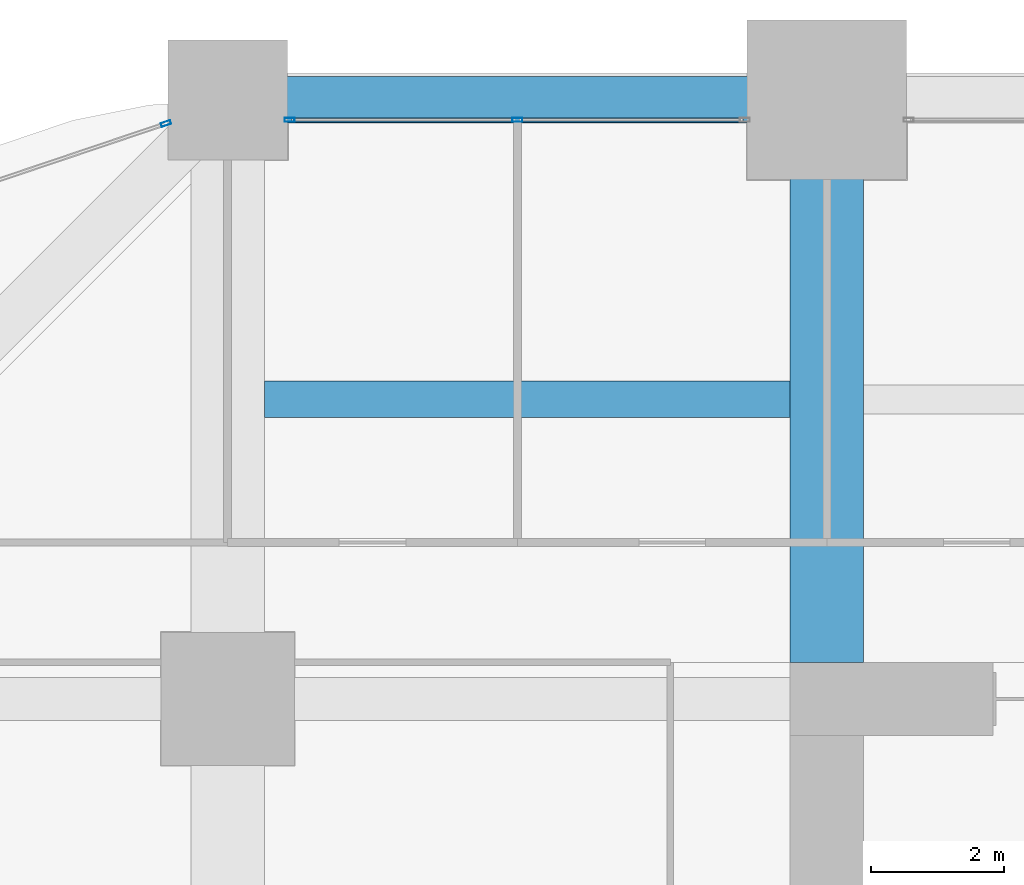
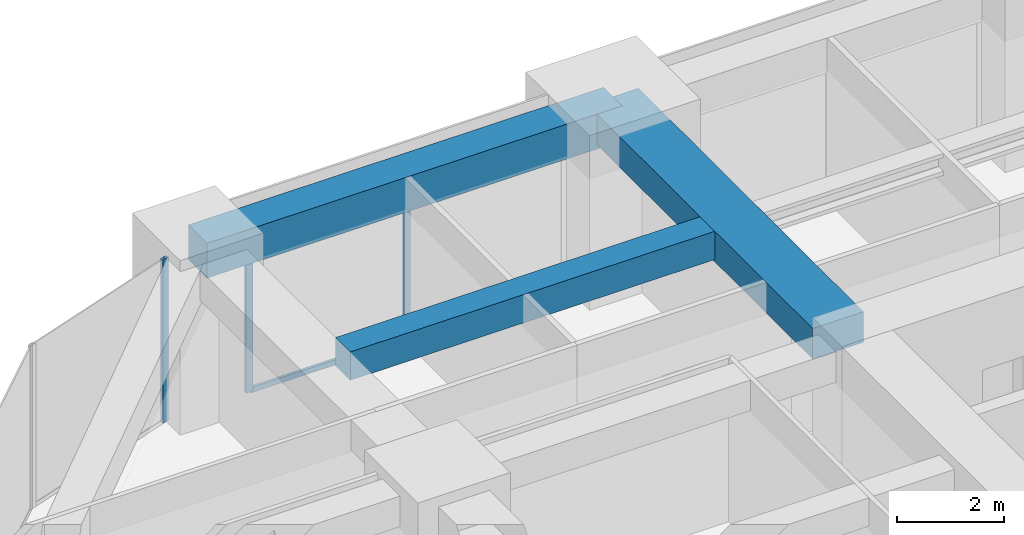
# One storey, part 27 of 41: 4 members, 3 beams, 2 elements without a shape of their own.
"""IFC4 building model written with IfcOpenShell, lengths in metres."""

from ifc_helpers import new_model, si_unit, direction, frame, origin, origin_2d, place, context, subcontext, project, spatial, rectangle, hollow_rectangle, extrude, material, material_profile, profile_set, type_object, element, aggregate, save


model = new_model("IFC4")

# Units and contexts
model_context = context("Model", 3, precision=1e-05, world=origin(), true_north=direction((0.0, 1.0)))
body_context = subcontext(model_context, "Body", "Model", "MODEL_VIEW")
ifc_project = project(units=[si_unit("LENGTHUNIT", "METRE"), si_unit("AREAUNIT", "SQUARE_METRE"), si_unit("VOLUMEUNIT", "CUBIC_METRE"), si_unit("PLANEANGLEUNIT", "RADIAN"), si_unit("MASSUNIT", "GRAM", prefix="KILO")], contexts=[model_context])

# Site, building, storey
site_placement = place(None, origin())
site = spatial("IfcSite", under=ifc_project, at=site_placement, CompositionType="ELEMENT")
building_placement = place(site_placement, origin())
building = spatial("IfcBuilding", under=site, at=building_placement, Name="Zorevar Civic Tower", CompositionType="ELEMENT")
storey_placement = place(building_placement, frame((0.0, 0.0, 113.0)))
storey = spatial("IfcBuildingStorey", under=building, at=storey_placement, Name="L27", CompositionType="ELEMENT", Elevation=113.0)

# Beams
ifc_material_1 = material(Name="Concrete C50/60", Category="concrete")
ifc_material_profile_1 = material_profile(ifc_material_1, rectangle(XDim=1.10009765625, YDim=0.699951171875, at=origin_2d()), Name="RC 1100x700")
ifc_profile_set_1 = profile_set([ifc_material_profile_1], Name="Concrete C50/60")
beam_type_1 = type_object("IfcBeamType", Name="Beam RC 1100x700", PredefinedType="BEAM", material=ifc_profile_set_1)
beam_1_placement = place(storey_placement, frame((18.0, 36.550048828125, 3.39990234375), z_axis=(0.0, 1.0, 0.0), x_axis=(-1.0, 0.0, 0.0)))
element("IfcBeam", 1, at=beam_1_placement, inside=storey, type_object=beam_type_1, Name="Girder L28", PredefinedType="BEAM", context=body_context, shape_type="SweptSolid", body=[
    extrude(rectangle(XDim=1.10009765625, YDim=0.699951171875, at=origin_2d()), origin(), (0.0, 0.0, 1.0), 8.449951171875),
])
ifc_material_2 = material(Name="Concrete C50/60", Category="concrete")
ifc_material_profile_2 = material_profile(ifc_material_2, rectangle(XDim=0.550048828125, YDim=0.64990234375, at=origin_2d()), Name="RC 550x650")
ifc_profile_set_2 = profile_set([ifc_material_profile_2], Name="Concrete C50/60")
beam_type_2 = type_object("IfcBeamType", Name="Beam RC 550x650", PredefinedType="BEAM", material=ifc_profile_set_2)
beam_2_placement = place(storey_placement, frame((9.550048828125, 40.5, 3.425048828125), z_axis=(1.0, 0.0, 0.0), x_axis=(0.0, 1.0, 0.0)))
element("IfcBeam", 2, at=beam_2_placement, inside=storey, type_object=beam_type_2, Name="Secondary beam L28", PredefinedType="BEAM", context=body_context, shape_type="SweptSolid", body=[
    extrude(rectangle(XDim=0.550048828125, YDim=0.64990234375, at=origin_2d()), origin(), (0.0, 0.0, 1.0), 7.89990234375),
])

# Curtain wall, members
ifc_material_3 = material(Name="Dark grey solar-control glass in black aluminium frame", Category="aluminium")
curtain_wall_type = type_object("IfcCurtainWallType", Name="Curtain wall CW3 mid zone", PredefinedType="NOTDEFINED", material=ifc_material_3)
curtain_wall_1_placement = place(storey_placement, origin())
curtain_wall_1 = element("IfcCurtainWall", 3, at=curtain_wall_1_placement, inside=storey, type_object=curtain_wall_type, Name="CW3 L27", PredefinedType="NOTDEFINED")
ifc_material_4 = material(Name="Aluminium, black anodised", Category="aluminium")
ifc_material_profile_3 = material_profile(ifc_material_4, hollow_rectangle(XDim=0.06005859375, YDim=0.14990234375, WallThickness=0.00390625, at=origin_2d()), Name="AL 150x60x4")
ifc_profile_set_3 = profile_set([ifc_material_profile_3], Name="Aluminium, black anodised")
member_type_1 = type_object("IfcMemberType", Name="CW3 mullion AL 150x60x4", PredefinedType="MULLION", material=ifc_profile_set_3)
member_1_placement = place(storey_placement, frame((9.929931640625, 44.699951171875, 0.0), z_axis=(0.0, 0.0, 1.0), x_axis=(0.0, 1.0, 0.0)))
member_1 = element("IfcMember", 4, at=member_1_placement, type_object=member_type_1, Name="CW3 mullion 1", PredefinedType="MULLION", context=body_context, shape_type="SweptSolid", body=[
    extrude(hollow_rectangle(XDim=0.06005859375, YDim=0.14990234375, WallThickness=0.00390625, at=origin_2d()), origin(), (0.0, 0.0, 1.0), 2.949951171875),
])
member_2_placement = place(storey_placement, frame((13.35009765625, 44.699951171875, 0.06005859375), z_axis=(0.0, 0.0, 1.0), x_axis=(0.0, 1.0, 0.0)))
member_2 = element("IfcMember", 5, at=member_2_placement, type_object=member_type_1, Name="CW3 mullion 2", PredefinedType="MULLION", context=body_context, shape_type="SweptSolid", body=[
    extrude(hollow_rectangle(XDim=0.06005859375, YDim=0.14990234375, WallThickness=0.00390625, at=origin_2d()), origin(), (0.0, 0.0, 1.0), 2.889892578125),
])

# Curtain wall, member
curtain_wall_2_placement = place(storey_placement, origin())
curtain_wall_2 = element("IfcCurtainWall", 6, at=curtain_wall_2_placement, inside=storey, type_object=curtain_wall_type, Name="CW3 L27", PredefinedType="NOTDEFINED")
member_3_placement = place(storey_placement, frame((8.071533203125, 44.643798828125, 0.0), z_axis=(0.0, 0.0, 1.0), x_axis=(0.319412525043, -0.947615765406, 0.0)))
member_3 = element("IfcMember", 7, at=member_3_placement, type_object=member_type_1, Name="CW3 mullion 1", PredefinedType="MULLION", context=body_context, shape_type="SweptSolid", body=[
    extrude(hollow_rectangle(XDim=0.06005859375, YDim=0.14990234375, WallThickness=0.00390625, at=origin_2d()), origin(), (0.0, 0.0, 1.0), 3.75),
])
aggregate(curtain_wall_2, [member_3])

# Member
ifc_material_5 = material(Name="Aluminium, black anodised", Category="aluminium")
ifc_material_profile_4 = material_profile(ifc_material_5, hollow_rectangle(XDim=0.06005859375, YDim=0.1201171875, WallThickness=0.0029296875, at=origin_2d()), Name="AL 120x60x3")
ifc_profile_set_4 = profile_set([ifc_material_profile_4], Name="Aluminium, black anodised")
member_type_2 = type_object("IfcMemberType", Name="CW3 transom AL 120x60x3", PredefinedType="USERDEFINED", material=ifc_profile_set_4)
member_4_placement = place(storey_placement, frame((9.9599609375, 44.699951171875, 0.030029296875), z_axis=(1.0, 0.0, 0.0), x_axis=(0.0, 1.0, 0.0)))
member_4 = element("IfcMember", 8, at=member_4_placement, type_object=member_type_2, Name="CW3 sill transom", ObjectType="TRANSOM", PredefinedType="USERDEFINED", context=body_context, shape_type="SweptSolid", body=[
    extrude(hollow_rectangle(XDim=0.06005859375, YDim=0.1201171875, WallThickness=0.0029296875, at=origin_2d()), origin(), (0.0, 0.0, 1.0), 6.780029296875),
])

aggregate(curtain_wall_1, [member_1, member_2, member_4])

# Beam
ifc_material_6 = material(Name="Concrete C50/60", Category="concrete")
ifc_material_profile_5 = material_profile(ifc_material_6, rectangle(XDim=0.699951171875, YDim=0.800048828125, at=origin_2d()), Name="RC 700x800")
ifc_profile_set_5 = profile_set([ifc_material_profile_5], Name="Concrete C50/60")
beam_type_3 = type_object("IfcBeamType", Name="Edge beam RC 700x800", PredefinedType="SPANDREL", material=ifc_profile_set_5)
beam_3_placement = place(storey_placement, frame((9.0, 45.0, 3.35009765625), z_axis=(1.0, 0.0, 0.0), x_axis=(0.0, 1.0, 0.0)))
element("IfcBeam", 9, at=beam_3_placement, inside=storey, type_object=beam_type_3, Name="Edge beam L28", PredefinedType="SPANDREL", context=body_context, shape_type="SweptSolid", body=[
    extrude(rectangle(XDim=0.699951171875, YDim=0.800048828125, at=origin_2d()), origin(), (0.0, 0.0, 1.0), 9.0),
])

save(model, "model.ifc")
